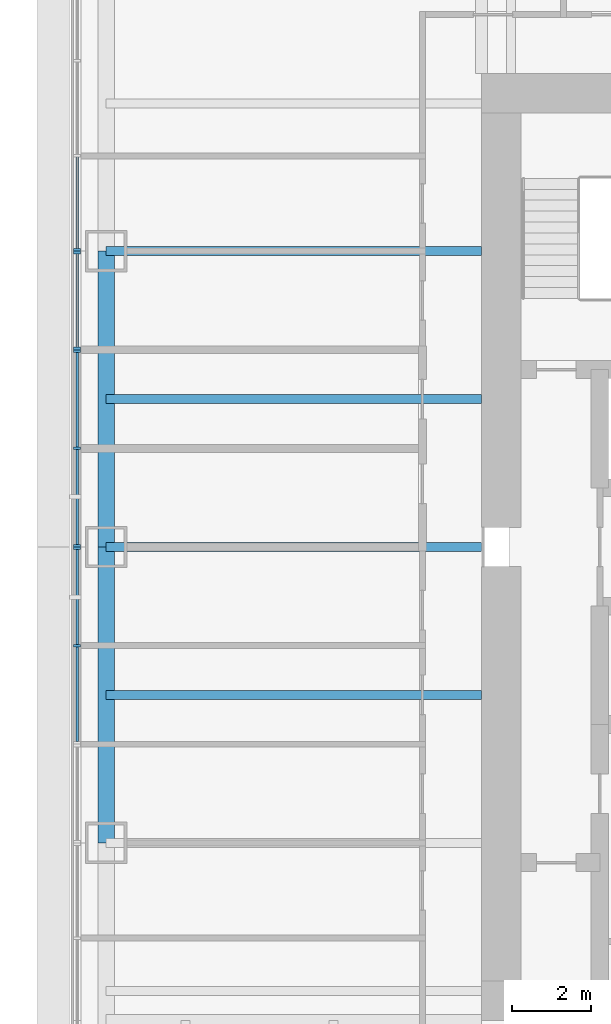
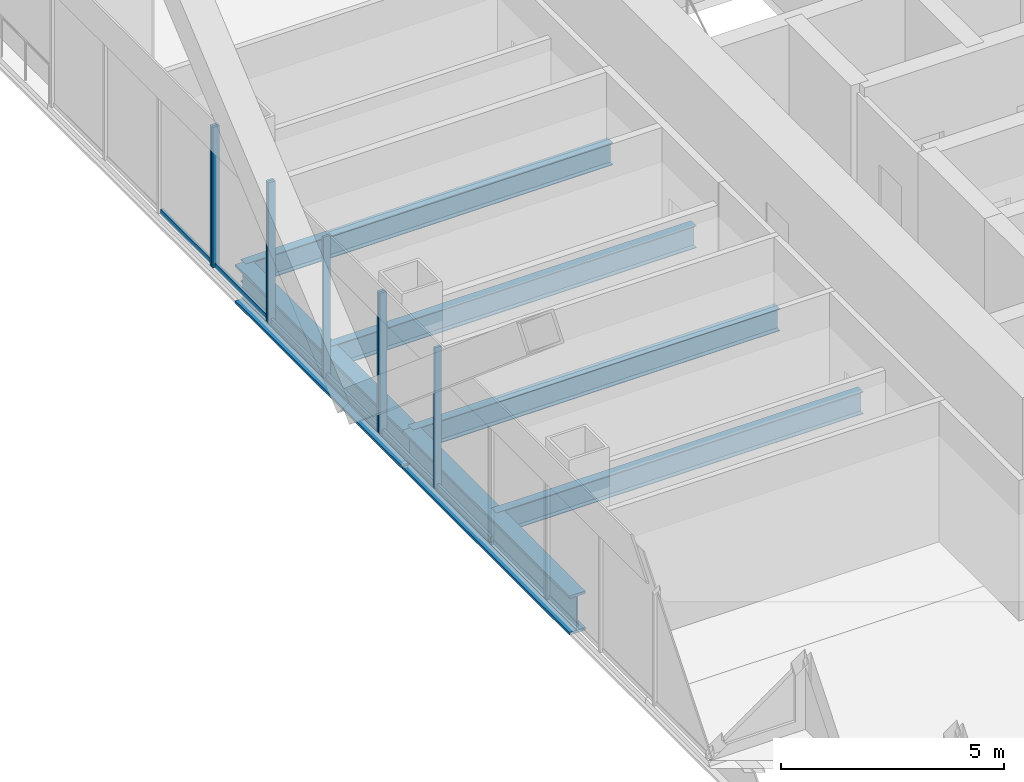
# One storey, part 4 of 17: 14 members, 6 beams, 4 elements without a shape of their own.
"""IFC4 building model written with IfcOpenShell, lengths in metres."""

from ifc_helpers import new_model, si_unit, direction, frame, origin, origin_2d, place, context, subcontext, project, spatial, rectangle, i_section, extrude, material, material_profile, profile_set, type_object, element, aggregate, save


model = new_model("IFC4")

# Units and contexts
model_context = context("Model", 3, precision=1e-05, world=origin(), true_north=direction((0.0, 1.0)))
body_context = subcontext(model_context, "Body", "Model", "MODEL_VIEW")
ifc_project = project(units=[si_unit("LENGTHUNIT", "METRE"), si_unit("AREAUNIT", "SQUARE_METRE"), si_unit("VOLUMEUNIT", "CUBIC_METRE"), si_unit("PLANEANGLEUNIT", "RADIAN"), si_unit("MASSUNIT", "GRAM", prefix="KILO")], contexts=[model_context])

# Site, building, storey
site_placement = place(None, origin())
site = spatial("IfcSite", under=ifc_project, at=site_placement, CompositionType="ELEMENT")
building_placement = place(site_placement, origin())
building = spatial("IfcBuilding", under=site, at=building_placement, Name="Tarangal Relay Tower", CompositionType="ELEMENT")
storey_placement = place(building_placement, frame((0.0, 0.0, 233.89990234375)))
storey = spatial("IfcBuildingStorey", under=building, at=storey_placement, Name="L50", CompositionType="ELEMENT", Elevation=233.89990234375)

# Beams
ifc_material_1 = material(Name="Steel ASTM A992", Category="steel")
ifc_material_profile_1 = material_profile(ifc_material_1, i_section(OverallWidth=0.41650390625, OverallDepth=1.0693359375, WebThickness=0.0390625, FlangeThickness=0.070068359375, at=origin_2d()), Name="W40X503")
ifc_profile_set_1 = profile_set([ifc_material_profile_1], Name="Steel ASTM A992")
beam_type_1 = type_object("IfcBeamType", Name="Edge girder W40X503", PredefinedType="SPANDREL", material=ifc_profile_set_1)
for number, where, z_axis, x_axis, name in (
    (1, (-21.514892578125, -7.5, -0.6845703125), (0.0, 1.0, 0.0), (-1.0, 0.0, 0.0), "Edge girder EG8 W L50"),
    (2, (-21.514892578125, 0.0, -0.6845703125), (0.0, 1.0, 0.0), (-1.0, 0.0, 0.0), "Edge girder EG8 W L50"),
):
    element("IfcBeam", number, at=place(storey_placement, frame(where, z_axis=z_axis, x_axis=x_axis)), inside=storey, type_object=beam_type_1, Name=name, PredefinedType="SPANDREL", context=body_context, shape_type="SweptSolid", body=[
        extrude(i_section(OverallWidth=0.41650390625, OverallDepth=1.0693359375, WebThickness=0.0390625, FlangeThickness=0.070068359375, at=origin_2d()), origin(), (0.0, 0.0, 1.0), 7.5),
    ])
ifc_material_profile_2 = material_profile(ifc_material_1, i_section(OverallWidth=0.22900390625, OverallDepth=0.612060546875, WebThickness=0.011962890625, FlangeThickness=0.01953125, at=origin_2d()), Name="W24X84")
ifc_profile_set_2 = profile_set([ifc_material_profile_2], Name="Steel ASTM A992")
beam_type_2 = type_object("IfcBeamType", Name="Floor beam W24X84", PredefinedType="BEAM", material=ifc_profile_set_2)
for number, where, z_axis, x_axis, name in (
    (3, (-12.0, -3.75, -0.455810546875), (-1.0, 0.0, 0.0), (0.0, -1.0, 0.0), "Floor beam RB12 W L50"),
    (4, (-12.0, 0.0, -0.455810546875), (-1.0, 0.0, 0.0), (0.0, -1.0, 0.0), "Floor beam RB12 W L50"),
    (5, (-12.0, 3.75, -0.455810546875), (-1.0, 0.0, 0.0), (0.0, -1.0, 0.0), "Floor beam RB12 W L50"),
    (6, (-12.0, 7.5, -0.455810546875), (-1.0, 0.0, 0.0), (0.0, -1.0, 0.0), "Floor beam RB12 W L50"),
):
    element("IfcBeam", number, at=place(storey_placement, frame(where, z_axis=z_axis, x_axis=x_axis)), inside=storey, type_object=beam_type_2, Name=name, PredefinedType="BEAM", context=body_context, shape_type="SweptSolid", body=[
        extrude(i_section(OverallWidth=0.22900390625, OverallDepth=0.612060546875, WebThickness=0.011962890625, FlangeThickness=0.01953125, at=origin_2d()), origin(), (0.0, 0.0, 1.0), 9.514892578125),
    ])

# Curtain wall, members
ifc_material_2 = material(Name="Unitised curtain wall, dark glass and black aluminium", Category="aluminium")
curtain_wall_type_1 = type_object("IfcCurtainWallType", Name="Curtain wall CW-A", PredefinedType="USERDEFINED", material=ifc_material_2)
curtain_wall_1_placement = place(storey_placement, origin())
curtain_wall_1 = element("IfcCurtainWall", 7, at=curtain_wall_1_placement, inside=storey, type_object=curtain_wall_type_1, Name="Curtain wall CW-A W facade L50", ObjectType="UNITISED CURTAIN WALL", PredefinedType="USERDEFINED")
ifc_material_3 = material(Name="Black anodised aluminium mullion", Category="aluminium")
ifc_material_profile_3 = material_profile(ifc_material_3, rectangle(XDim=0.175048828125, YDim=0.06494140625, at=origin_2d()), Name="CW-AM 65X175")
ifc_profile_set_3 = profile_set([ifc_material_profile_3], Name="Black anodised aluminium mullion")
member_type_1 = type_object("IfcMemberType", Name="Mullion CW-A 65 x 175", PredefinedType="MULLION", material=ifc_profile_set_3)
member_1_placement = place(storey_placement, frame((-22.25, 5.032470703125, 0.0), z_axis=(0.0, 0.0, 1.0), x_axis=(-1.0, 0.0, 0.0)))
member_1 = element("IfcMember", 8, at=member_1_placement, type_object=member_type_1, Name="CW-A mullion 1", PredefinedType="MULLION", context=body_context, shape_type="SweptSolid", body=[
    extrude(rectangle(XDim=0.175048828125, YDim=0.06494140625, at=origin_2d()), origin(), (0.0, 0.0, 1.0), 3.85009765625),
])
member_2_placement = place(storey_placement, frame((-22.25, 7.467529296875, 0.0), z_axis=(0.0, 0.0, 1.0), x_axis=(-1.0, 0.0, 0.0)))
member_2 = element("IfcMember", 9, at=member_2_placement, type_object=member_type_1, Name="CW-A mullion 2", PredefinedType="MULLION", context=body_context, shape_type="SweptSolid", body=[
    extrude(rectangle(XDim=0.175048828125, YDim=0.06494140625, at=origin_2d()), origin(), (0.0, 0.0, 1.0), 3.85009765625),
])

# Curtain wall, member
curtain_wall_2_placement = place(storey_placement, origin())
curtain_wall_2 = element("IfcCurtainWall", 10, at=curtain_wall_2_placement, inside=storey, type_object=curtain_wall_type_1, Name="Curtain wall CW-A W facade L50", ObjectType="UNITISED CURTAIN WALL", PredefinedType="USERDEFINED")
member_3_placement = place(storey_placement, frame((-22.25, 7.532470703125, 0.0), z_axis=(0.0, 0.0, 1.0), x_axis=(-1.0, 0.0, 0.0)))
member_3 = element("IfcMember", 11, at=member_3_placement, type_object=member_type_1, Name="CW-A mullion 1", PredefinedType="MULLION", context=body_context, shape_type="SweptSolid", body=[
    extrude(rectangle(XDim=0.175048828125, YDim=0.06494140625, at=origin_2d()), origin(), (0.0, 0.0, 1.0), 3.85009765625),
])

# Curtain wall, members
ifc_material_4 = material(Name="Unitised curtain wall frame, black aluminium, with metal clad infill walls", Category="aluminium")
curtain_wall_type_2 = type_object("IfcCurtainWallType", Name="Curtain wall CW-AO", PredefinedType="USERDEFINED", material=ifc_material_4)
curtain_wall_3_placement = place(storey_placement, origin())
curtain_wall_3 = element("IfcCurtainWall", 12, at=curtain_wall_3_placement, inside=storey, type_object=curtain_wall_type_2, Name="Curtain wall CW-AO W facade L50", ObjectType="UNITISED CURTAIN WALL", PredefinedType="USERDEFINED")
ifc_material_profile_4 = material_profile(ifc_material_3, rectangle(XDim=0.175048828125, YDim=0.06494140625, at=origin_2d()), Name="CW-AOM 65X175")
ifc_profile_set_4 = profile_set([ifc_material_profile_4], Name="Black anodised aluminium mullion")
member_type_2 = type_object("IfcMemberType", Name="Mullion CW-AO 65 x 175", PredefinedType="MULLION", material=ifc_profile_set_4)
member_4_placement = place(storey_placement, frame((-22.25, -2.5, 0.0), z_axis=(0.0, 0.0, 1.0), x_axis=(-1.0, 0.0, 0.0)))
member_4 = element("IfcMember", 13, at=member_4_placement, type_object=member_type_2, Name="CW-AO mullion 2", PredefinedType="MULLION", context=body_context, shape_type="SweptSolid", body=[
    extrude(rectangle(XDim=0.175048828125, YDim=0.06494140625, at=origin_2d()), origin(), (0.0, 0.0, 1.0), 3.85009765625),
])
member_5_placement = place(storey_placement, frame((-22.25, -0.032470703125, 0.0), z_axis=(0.0, 0.0, 1.0), x_axis=(-1.0, 0.0, 0.0)))
member_5 = element("IfcMember", 14, at=member_5_placement, type_object=member_type_2, Name="CW-AO mullion 3", PredefinedType="MULLION", context=body_context, shape_type="SweptSolid", body=[
    extrude(rectangle(XDim=0.175048828125, YDim=0.06494140625, at=origin_2d()), origin(), (0.0, 0.0, 1.0), 3.85009765625),
])

curtain_wall_4_placement = place(storey_placement, origin())
curtain_wall_4 = element("IfcCurtainWall", 15, at=curtain_wall_4_placement, inside=storey, type_object=curtain_wall_type_2, Name="Curtain wall CW-AO W facade L50", ObjectType="UNITISED CURTAIN WALL", PredefinedType="USERDEFINED")
member_6_placement = place(storey_placement, frame((-22.25, 0.032470703125, 0.0), z_axis=(0.0, 0.0, 1.0), x_axis=(-1.0, 0.0, 0.0)))
member_6 = element("IfcMember", 16, at=member_6_placement, type_object=member_type_2, Name="CW-AO mullion 1", PredefinedType="MULLION", context=body_context, shape_type="SweptSolid", body=[
    extrude(rectangle(XDim=0.175048828125, YDim=0.06494140625, at=origin_2d()), origin(), (0.0, 0.0, 1.0), 3.85009765625),
])
member_7_placement = place(storey_placement, frame((-22.25, 2.5, 0.0), z_axis=(0.0, 0.0, 1.0), x_axis=(-1.0, 0.0, 0.0)))
member_7 = element("IfcMember", 17, at=member_7_placement, type_object=member_type_2, Name="CW-AO mullion 2", PredefinedType="MULLION", context=body_context, shape_type="SweptSolid", body=[
    extrude(rectangle(XDim=0.175048828125, YDim=0.06494140625, at=origin_2d()), origin(), (0.0, 0.0, 1.0), 3.85009765625),
])
member_8_placement = place(storey_placement, frame((-22.25, 4.967529296875, 0.0), z_axis=(0.0, 0.0, 1.0), x_axis=(-1.0, 0.0, 0.0)))
member_8 = element("IfcMember", 18, at=member_8_placement, type_object=member_type_2, Name="CW-AO mullion 3", PredefinedType="MULLION", context=body_context, shape_type="SweptSolid", body=[
    extrude(rectangle(XDim=0.175048828125, YDim=0.06494140625, at=origin_2d()), origin(), (0.0, 0.0, 1.0), 3.85009765625),
])

# Member
ifc_material_5 = material(Name="Black anodised aluminium transom", Category="aluminium")
ifc_material_profile_5 = material_profile(ifc_material_5, rectangle(XDim=0.06494140625, YDim=0.14990234375, at=origin_2d()), Name="CW-AT 65X150")
ifc_profile_set_5 = profile_set([ifc_material_profile_5], Name="Black anodised aluminium transom")
member_type_3 = type_object("IfcMemberType", Name="Transom CW-A 65 x 150", PredefinedType="USERDEFINED", material=ifc_profile_set_5)
member_9_placement = place(storey_placement, frame((-22.25, 5.06494140625, 0.03271484375), z_axis=(0.0, 1.0, 0.0), x_axis=(-1.0, 0.0, 0.0)))
member_9 = element("IfcMember", 19, at=member_9_placement, type_object=member_type_3, Name="CW-A transom 1.1", ObjectType="TRANSOM", PredefinedType="USERDEFINED", context=body_context, shape_type="SweptSolid", body=[
    extrude(rectangle(XDim=0.06494140625, YDim=0.14990234375, at=origin_2d()), origin(), (0.0, 0.0, 1.0), 2.3701171875),
])

aggregate(curtain_wall_1, [member_1, member_2, member_9])

member_10_placement = place(storey_placement, frame((-22.25, 7.56494140625, 0.03271484375), z_axis=(0.0, 1.0, 0.0), x_axis=(-1.0, 0.0, 0.0)))
member_10 = element("IfcMember", 20, at=member_10_placement, type_object=member_type_3, Name="CW-A transom 1.1", ObjectType="TRANSOM", PredefinedType="USERDEFINED", context=body_context, shape_type="SweptSolid", body=[
    extrude(rectangle(XDim=0.06494140625, YDim=0.14990234375, at=origin_2d()), origin(), (0.0, 0.0, 1.0), 2.3193359375),
])

aggregate(curtain_wall_2, [member_3, member_10])

ifc_material_profile_6 = material_profile(ifc_material_5, rectangle(XDim=0.06494140625, YDim=0.14990234375, at=origin_2d()), Name="CW-AOT 65X150")
ifc_profile_set_6 = profile_set([ifc_material_profile_6], Name="Black anodised aluminium transom")
member_type_4 = type_object("IfcMemberType", Name="Transom CW-AO 65 x 150", PredefinedType="USERDEFINED", material=ifc_profile_set_6)
member_11_placement = place(storey_placement, frame((-22.25, -4.93505859375, 0.03271484375), z_axis=(0.0, 1.0, 0.0), x_axis=(-1.0, 0.0, 0.0)))
member_11 = element("IfcMember", 21, at=member_11_placement, type_object=member_type_4, Name="CW-AO transom 1.1", ObjectType="TRANSOM", PredefinedType="USERDEFINED", context=body_context, shape_type="SweptSolid", body=[
    extrude(rectangle(XDim=0.06494140625, YDim=0.14990234375, at=origin_2d()), origin(), (0.0, 0.0, 1.0), 2.402587890625),
])

member_12_placement = place(storey_placement, frame((-22.25, -2.467529296875, 0.03271484375), z_axis=(0.0, 1.0, 0.0), x_axis=(-1.0, 0.0, 0.0)))
member_12 = element("IfcMember", 22, at=member_12_placement, type_object=member_type_4, Name="CW-AO transom 2.1", ObjectType="TRANSOM", PredefinedType="USERDEFINED", context=body_context, shape_type="SweptSolid", body=[
    extrude(rectangle(XDim=0.06494140625, YDim=0.14990234375, at=origin_2d()), origin(), (0.0, 0.0, 1.0), 2.402587890625),
])

aggregate(curtain_wall_3, [member_4, member_5, member_11, member_12])

member_13_placement = place(storey_placement, frame((-22.25, 0.06494140625, 0.03271484375), z_axis=(0.0, 1.0, 0.0), x_axis=(-1.0, 0.0, 0.0)))
member_13 = element("IfcMember", 23, at=member_13_placement, type_object=member_type_4, Name="CW-AO transom 1.1", ObjectType="TRANSOM", PredefinedType="USERDEFINED", context=body_context, shape_type="SweptSolid", body=[
    extrude(rectangle(XDim=0.06494140625, YDim=0.14990234375, at=origin_2d()), origin(), (0.0, 0.0, 1.0), 2.402587890625),
])

member_14_placement = place(storey_placement, frame((-22.25, 2.532470703125, 0.03271484375), z_axis=(0.0, 1.0, 0.0), x_axis=(-1.0, 0.0, 0.0)))
member_14 = element("IfcMember", 24, at=member_14_placement, type_object=member_type_4, Name="CW-AO transom 2.1", ObjectType="TRANSOM", PredefinedType="USERDEFINED", context=body_context, shape_type="SweptSolid", body=[
    extrude(rectangle(XDim=0.06494140625, YDim=0.14990234375, at=origin_2d()), origin(), (0.0, 0.0, 1.0), 2.402587890625),
])

aggregate(curtain_wall_4, [member_6, member_7, member_8, member_13, member_14])

save(model, "model.ifc")
